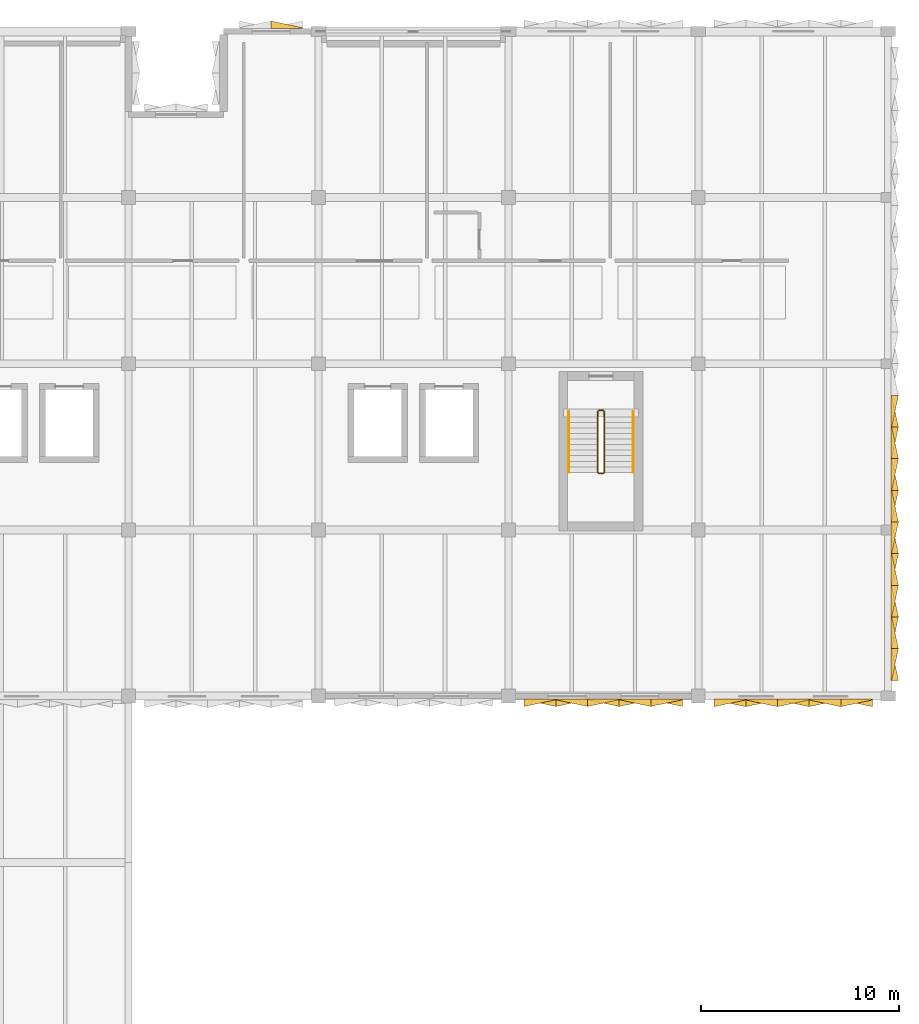
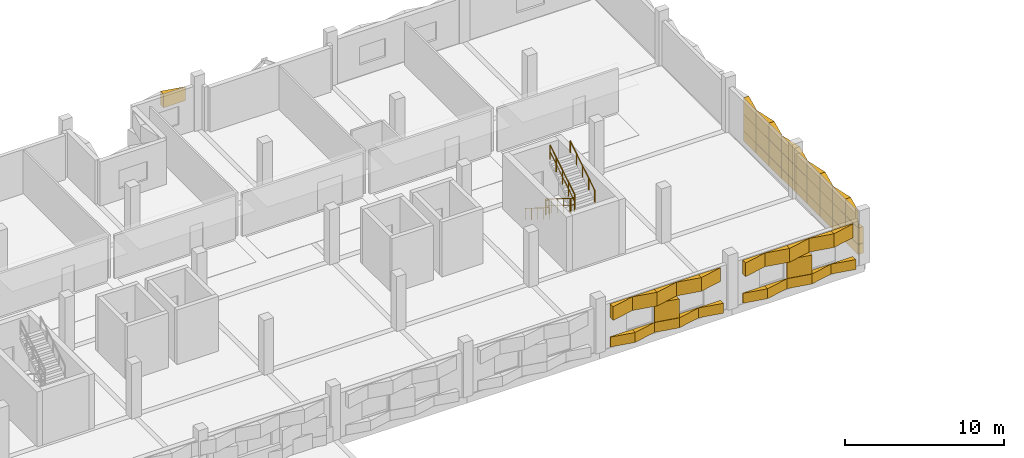
# One storey, part 23 of 24: 50 coverings, 6 railings.
"""IFC4 building model written with IfcOpenShell, lengths in metres."""

from ifc_helpers import new_model, si_unit, direction, frame, origin, origin_2d, place, context, subcontext, project, spatial, polyline, circle, outline, extrude, material, type_object, element, save


model = new_model("IFC4")

# Units and contexts
model_context = context("Model", 3, precision=1e-05, world=origin(), true_north=direction((0.0, 1.0)))
body_context = subcontext(model_context, "Body", "Model", "MODEL_VIEW")
ifc_project = project(units=[si_unit("LENGTHUNIT", "METRE"), si_unit("AREAUNIT", "SQUARE_METRE"), si_unit("VOLUMEUNIT", "CUBIC_METRE"), si_unit("PLANEANGLEUNIT", "RADIAN"), si_unit("MASSUNIT", "GRAM", prefix="KILO")], contexts=[model_context])

# Site, building, storey
site_placement = place(None, origin())
site = spatial("IfcSite", under=ifc_project, at=site_placement, CompositionType="ELEMENT")
building_placement = place(site_placement, origin())
building = spatial("IfcBuilding", under=site, at=building_placement, Name="Oolite Switchyard Hospital", CompositionType="ELEMENT")
storey_placement = place(building_placement, frame((0.0, 0.0, 22.0)))
storey = spatial("IfcBuildingStorey", under=building, at=storey_placement, Name="L05", CompositionType="ELEMENT", Elevation=22.0)

# Coverings
ifc_material_1 = material(Name="Precast oolitic limestone architectural concrete C40/50", Category="masonry")
covering_type = type_object("IfcCoveringType", Name="COV-CHEV-COOL", PredefinedType="CLADDING", material=ifc_material_1)
covering_1_placement = place(storey_placement, frame((200.800048828125, 100.659912109375, 0.050048828125), z_axis=(0.0, 0.0, 1.0), x_axis=(-1.0, 0.0, 0.0)))
element("IfcCovering", 1, at=covering_1_placement, inside=storey, type_object=covering_type, Name="L05 Chevron Precast Oolite Panel 1167", PredefinedType="CLADDING", context=body_context, shape_type="SweptSolid", body=[
    extrude(outline(polyline([(0.0, 0.0), (1.60009765625, 0.0), (1.60009765625, 0.044921875), (0.0, 0.385009765625), (0.0, 0.0)])), origin(), (0.0, 0.0, 1.0), 0.760009765625),
])
covering_2_placement = place(storey_placement, frame((200.800048828125, 100.659912109375, 2.2900390625), z_axis=(0.0, 0.0, 1.0), x_axis=(-1.0, 0.0, 0.0)))
element("IfcCovering", 2, at=covering_2_placement, inside=storey, type_object=covering_type, Name="L05 Chevron Precast Oolite Panel 1168", PredefinedType="CLADDING", context=body_context, shape_type="SweptSolid", body=[
    extrude(outline(polyline([(0.0, 0.0), (1.60009765625, 0.0), (1.60009765625, 0.385009765625), (0.0, 0.044921875), (0.0, 0.0)])), origin(), (0.0, 0.0, 1.0), 1.050048828125),
])
covering_3_placement = place(storey_placement, frame((199.199951171875, 100.659912109375, 0.050048828125), z_axis=(0.0, 0.0, 1.0), x_axis=(-1.0, 0.0, 0.0)))
element("IfcCovering", 3, at=covering_3_placement, inside=storey, type_object=covering_type, Name="L05 Chevron Precast Oolite Panel 1169", PredefinedType="CLADDING", context=body_context, shape_type="SweptSolid", body=[
    extrude(outline(polyline([(0.0, 0.0), (1.599853515625, 0.0), (1.599853515625, 0.385009765625), (0.0, 0.044921875), (0.0, 0.0)])), origin(), (0.0, 0.0, 1.0), 0.760009765625),
])
covering_4_placement = place(storey_placement, frame((199.199951171875, 100.659912109375, 2.2900390625), z_axis=(0.0, 0.0, 1.0), x_axis=(-1.0, 0.0, 0.0)))
element("IfcCovering", 4, at=covering_4_placement, inside=storey, type_object=covering_type, Name="L05 Chevron Precast Oolite Panel 1170", PredefinedType="CLADDING", context=body_context, shape_type="SweptSolid", body=[
    extrude(outline(polyline([(0.0, 0.0), (1.599853515625, 0.0), (1.599853515625, 0.044921875), (0.0, 0.385009765625), (0.0, 0.0)])), origin(), (0.0, 0.0, 1.0), 1.050048828125),
])
covering_5_placement = place(storey_placement, frame((197.60009765625, 100.659912109375, 0.050048828125), z_axis=(0.0, 0.0, 1.0), x_axis=(-1.0, 0.0, 0.0)))
element("IfcCovering", 5, at=covering_5_placement, inside=storey, type_object=covering_type, Name="L05 Chevron Precast Oolite Panel 1171", PredefinedType="CLADDING", context=body_context, shape_type="SweptSolid", body=[
    extrude(outline(polyline([(0.0, 0.0), (1.60009765625, 0.0), (1.60009765625, 0.044921875), (0.0, 0.385009765625), (0.0, 0.0)])), origin(), (0.0, 0.0, 1.0), 0.760009765625),
])
covering_6_placement = place(storey_placement, frame((197.60009765625, 100.659912109375, 2.2900390625), z_axis=(0.0, 0.0, 1.0), x_axis=(-1.0, 0.0, 0.0)))
element("IfcCovering", 6, at=covering_6_placement, inside=storey, type_object=covering_type, Name="L05 Chevron Precast Oolite Panel 1172", PredefinedType="CLADDING", context=body_context, shape_type="SweptSolid", body=[
    extrude(outline(polyline([(0.0, 0.0), (1.60009765625, 0.0), (1.60009765625, 0.385009765625), (0.0, 0.044921875), (0.0, 0.0)])), origin(), (0.0, 0.0, 1.0), 1.050048828125),
])
covering_7_placement = place(storey_placement, frame((197.60009765625, 100.659912109375, 0.830078125), z_axis=(0.0, 0.0, 1.0), x_axis=(-1.0, 0.0, 0.0)))
element("IfcCovering", 7, at=covering_7_placement, inside=storey, type_object=covering_type, Name="L05 Chevron Precast Oolite Panel 1173", PredefinedType="CLADDING", context=body_context, shape_type="SweptSolid", body=[
    extrude(outline(polyline([(0.0, 0.0), (1.60009765625, 0.0), (1.60009765625, 0.044921875), (0.0, 0.385009765625), (0.0, 0.0)])), origin(), (0.0, 0.0, 1.0), 1.43994140625),
])
covering_8_placement = place(storey_placement, frame((196.0, 100.659912109375, 0.050048828125), z_axis=(0.0, 0.0, 1.0), x_axis=(-1.0, 0.0, 0.0)))
element("IfcCovering", 8, at=covering_8_placement, inside=storey, type_object=covering_type, Name="L05 Chevron Precast Oolite Panel 1174", PredefinedType="CLADDING", context=body_context, shape_type="SweptSolid", body=[
    extrude(outline(polyline([(0.0, 0.0), (1.60009765625, 0.0), (1.60009765625, 0.385009765625), (0.0, 0.044921875), (0.0, 0.0)])), origin(), (0.0, 0.0, 1.0), 0.760009765625),
])
covering_9_placement = place(storey_placement, frame((196.0, 100.659912109375, 2.2900390625), z_axis=(0.0, 0.0, 1.0), x_axis=(-1.0, 0.0, 0.0)))
element("IfcCovering", 9, at=covering_9_placement, inside=storey, type_object=covering_type, Name="L05 Chevron Precast Oolite Panel 1175", PredefinedType="CLADDING", context=body_context, shape_type="SweptSolid", body=[
    extrude(outline(polyline([(0.0, 0.0), (1.60009765625, 0.0), (1.60009765625, 0.044921875), (0.0, 0.385009765625), (0.0, 0.0)])), origin(), (0.0, 0.0, 1.0), 1.050048828125),
])
covering_10_placement = place(storey_placement, frame((194.39990234375, 100.659912109375, 0.050048828125), z_axis=(0.0, 0.0, 1.0), x_axis=(-1.0, 0.0, 0.0)))
element("IfcCovering", 10, at=covering_10_placement, inside=storey, type_object=covering_type, Name="L05 Chevron Precast Oolite Panel 1176", PredefinedType="CLADDING", context=body_context, shape_type="SweptSolid", body=[
    extrude(outline(polyline([(0.0, 0.0), (1.599853515625, 0.0), (1.599853515625, 0.044921875), (0.0, 0.385009765625), (0.0, 0.0)])), origin(), (0.0, 0.0, 1.0), 0.760009765625),
])
covering_11_placement = place(storey_placement, frame((194.39990234375, 100.659912109375, 2.2900390625), z_axis=(0.0, 0.0, 1.0), x_axis=(-1.0, 0.0, 0.0)))
element("IfcCovering", 11, at=covering_11_placement, inside=storey, type_object=covering_type, Name="L05 Chevron Precast Oolite Panel 1177", PredefinedType="CLADDING", context=body_context, shape_type="SweptSolid", body=[
    extrude(outline(polyline([(0.0, 0.0), (1.599853515625, 0.0), (1.599853515625, 0.385009765625), (0.0, 0.044921875), (0.0, 0.0)])), origin(), (0.0, 0.0, 1.0), 1.050048828125),
])
covering_12_placement = place(storey_placement, frame((210.39990234375, 100.64990234375, 0.050048828125), z_axis=(0.0, 0.0, 1.0), x_axis=(-1.0, 0.0, 0.0)))
element("IfcCovering", 12, at=covering_12_placement, inside=storey, type_object=covering_type, Name="L05 Chevron Precast Oolite Panel 1178", PredefinedType="CLADDING", context=body_context, shape_type="SweptSolid", body=[
    extrude(outline(polyline([(0.0, 0.0), (1.599853515625, 0.0), (1.599853515625, 0.044921875), (0.0, 0.385009765625), (0.0, 0.0)])), origin(), (0.0, 0.0, 1.0), 0.760009765625),
])
covering_13_placement = place(storey_placement, frame((210.39990234375, 100.64990234375, 2.2900390625), z_axis=(0.0, 0.0, 1.0), x_axis=(-1.0, 0.0, 0.0)))
element("IfcCovering", 13, at=covering_13_placement, inside=storey, type_object=covering_type, Name="L05 Chevron Precast Oolite Panel 1179", PredefinedType="CLADDING", context=body_context, shape_type="SweptSolid", body=[
    extrude(outline(polyline([(0.0, 0.0), (1.599853515625, 0.0), (1.599853515625, 0.385009765625), (0.0, 0.044921875), (0.0, 0.0)])), origin(), (0.0, 0.0, 1.0), 1.050048828125),
])
covering_14_placement = place(storey_placement, frame((208.800048828125, 100.64990234375, 0.050048828125), z_axis=(0.0, 0.0, 1.0), x_axis=(-1.0, 0.0, 0.0)))
element("IfcCovering", 14, at=covering_14_placement, inside=storey, type_object=covering_type, Name="L05 Chevron Precast Oolite Panel 1180", PredefinedType="CLADDING", context=body_context, shape_type="SweptSolid", body=[
    extrude(outline(polyline([(0.0, 0.0), (1.60009765625, 0.0), (1.60009765625, 0.385009765625), (0.0, 0.044921875), (0.0, 0.0)])), origin(), (0.0, 0.0, 1.0), 0.760009765625),
])
covering_15_placement = place(storey_placement, frame((208.800048828125, 100.64990234375, 2.2900390625), z_axis=(0.0, 0.0, 1.0), x_axis=(-1.0, 0.0, 0.0)))
element("IfcCovering", 15, at=covering_15_placement, inside=storey, type_object=covering_type, Name="L05 Chevron Precast Oolite Panel 1181", PredefinedType="CLADDING", context=body_context, shape_type="SweptSolid", body=[
    extrude(outline(polyline([(0.0, 0.0), (1.60009765625, 0.0), (1.60009765625, 0.044921875), (0.0, 0.385009765625), (0.0, 0.0)])), origin(), (0.0, 0.0, 1.0), 1.050048828125),
])
covering_16_placement = place(storey_placement, frame((207.199951171875, 100.64990234375, 0.050048828125), z_axis=(0.0, 0.0, 1.0), x_axis=(-1.0, 0.0, 0.0)))
element("IfcCovering", 16, at=covering_16_placement, inside=storey, type_object=covering_type, Name="L05 Chevron Precast Oolite Panel 1182", PredefinedType="CLADDING", context=body_context, shape_type="SweptSolid", body=[
    extrude(outline(polyline([(0.0, 0.0), (1.599853515625, 0.0), (1.599853515625, 0.044921875), (0.0, 0.385009765625), (0.0, 0.0)])), origin(), (0.0, 0.0, 1.0), 0.760009765625),
])
covering_17_placement = place(storey_placement, frame((207.199951171875, 100.64990234375, 2.2900390625), z_axis=(0.0, 0.0, 1.0), x_axis=(-1.0, 0.0, 0.0)))
element("IfcCovering", 17, at=covering_17_placement, inside=storey, type_object=covering_type, Name="L05 Chevron Precast Oolite Panel 1183", PredefinedType="CLADDING", context=body_context, shape_type="SweptSolid", body=[
    extrude(outline(polyline([(0.0, 0.0), (1.599853515625, 0.0), (1.599853515625, 0.385009765625), (0.0, 0.044921875), (0.0, 0.0)])), origin(), (0.0, 0.0, 1.0), 1.050048828125),
])
covering_18_placement = place(storey_placement, frame((207.199951171875, 100.64990234375, 0.830078125), z_axis=(0.0, 0.0, 1.0), x_axis=(-1.0, 0.0, 0.0)))
element("IfcCovering", 18, at=covering_18_placement, inside=storey, type_object=covering_type, Name="L05 Chevron Precast Oolite Panel 1184", PredefinedType="CLADDING", context=body_context, shape_type="SweptSolid", body=[
    extrude(outline(polyline([(0.0, 0.0), (1.599853515625, 0.0), (1.599853515625, 0.044921875), (0.0, 0.385009765625), (0.0, 0.0)])), origin(), (0.0, 0.0, 1.0), 1.43994140625),
])
covering_19_placement = place(storey_placement, frame((205.60009765625, 100.64990234375, 0.050048828125), z_axis=(0.0, 0.0, 1.0), x_axis=(-1.0, 0.0, 0.0)))
element("IfcCovering", 19, at=covering_19_placement, inside=storey, type_object=covering_type, Name="L05 Chevron Precast Oolite Panel 1185", PredefinedType="CLADDING", context=body_context, shape_type="SweptSolid", body=[
    extrude(outline(polyline([(0.0, 0.0), (1.60009765625, 0.0), (1.60009765625, 0.385009765625), (0.0, 0.044921875), (0.0, 0.0)])), origin(), (0.0, 0.0, 1.0), 0.760009765625),
])
covering_20_placement = place(storey_placement, frame((205.60009765625, 100.64990234375, 2.2900390625), z_axis=(0.0, 0.0, 1.0), x_axis=(-1.0, 0.0, 0.0)))
element("IfcCovering", 20, at=covering_20_placement, inside=storey, type_object=covering_type, Name="L05 Chevron Precast Oolite Panel 1186", PredefinedType="CLADDING", context=body_context, shape_type="SweptSolid", body=[
    extrude(outline(polyline([(0.0, 0.0), (1.60009765625, 0.0), (1.60009765625, 0.044921875), (0.0, 0.385009765625), (0.0, 0.0)])), origin(), (0.0, 0.0, 1.0), 1.050048828125),
])
covering_21_placement = place(storey_placement, frame((204.0, 100.64990234375, 0.050048828125), z_axis=(0.0, 0.0, 1.0), x_axis=(-1.0, 0.0, 0.0)))
element("IfcCovering", 21, at=covering_21_placement, inside=storey, type_object=covering_type, Name="L05 Chevron Precast Oolite Panel 1187", PredefinedType="CLADDING", context=body_context, shape_type="SweptSolid", body=[
    extrude(outline(polyline([(0.0, 0.0), (1.60009765625, 0.0), (1.60009765625, 0.044921875), (0.0, 0.385009765625), (0.0, 0.0)])), origin(), (0.0, 0.0, 1.0), 0.760009765625),
])
covering_22_placement = place(storey_placement, frame((204.0, 100.64990234375, 2.2900390625), z_axis=(0.0, 0.0, 1.0), x_axis=(-1.0, 0.0, 0.0)))
element("IfcCovering", 22, at=covering_22_placement, inside=storey, type_object=covering_type, Name="L05 Chevron Precast Oolite Panel 1188", PredefinedType="CLADDING", context=body_context, shape_type="SweptSolid", body=[
    extrude(outline(polyline([(0.0, 0.0), (1.60009765625, 0.0), (1.60009765625, 0.385009765625), (0.0, 0.044921875), (0.0, 0.0)])), origin(), (0.0, 0.0, 1.0), 1.050048828125),
])
covering_23_placement = place(storey_placement, frame((180.0, 134.5400390625, 2.2900390625), z_axis=(0.0, 0.0, 1.0), x_axis=(1.0, 0.0, 0.0)))
element("IfcCovering", 23, at=covering_23_placement, inside=storey, type_object=covering_type, Name="L05 Chevron Precast Oolite Panel 1215", PredefinedType="CLADDING", context=body_context, shape_type="SweptSolid", body=[
    extrude(outline(polyline([(0.0, 0.0), (1.60009765625, 0.0), (1.60009765625, 0.044921875), (0.0, 0.385009765625), (0.0, 0.0)])), origin(), (0.0, 0.0, 1.0), 1.050048828125),
])
covering_24_placement = place(storey_placement, frame((211.330078125, 116.0, 0.050048828125), z_axis=(0.0, 0.0, 1.0), x_axis=(0.0, -1.0, 0.0)))
element("IfcCovering", 24, at=covering_24_placement, inside=storey, type_object=covering_type, Name="L05 Chevron Precast Oolite Panel 1335", PredefinedType="CLADDING", context=body_context, shape_type="SweptSolid", body=[
    extrude(outline(polyline([(0.0, 0.0), (1.60009765625, 0.0), (1.60009765625, 0.385009765625), (0.0, 0.044921875), (0.0, 0.0)])), origin(), (0.0, 0.0, 1.0), 0.760009765625),
])
covering_25_placement = place(storey_placement, frame((211.330078125, 116.0, 2.090087890625), z_axis=(0.0, 0.0, 1.0), x_axis=(0.0, -1.0, 0.0)))
element("IfcCovering", 25, at=covering_25_placement, inside=storey, type_object=covering_type, Name="L05 Chevron Precast Oolite Panel 1336", PredefinedType="CLADDING", context=body_context, shape_type="SweptSolid", body=[
    extrude(outline(polyline([(0.0, 0.0), (1.60009765625, 0.0), (1.60009765625, 0.044921875), (0.0, 0.385009765625), (0.0, 0.0)])), origin(), (0.0, 0.0, 1.0), 1.25),
])
covering_26_placement = place(storey_placement, frame((211.330078125, 116.0, 0.830078125), z_axis=(0.0, 0.0, 1.0), x_axis=(0.0, -1.0, 0.0)))
element("IfcCovering", 26, at=covering_26_placement, inside=storey, type_object=covering_type, Name="L05 Chevron Precast Oolite Panel 1337", PredefinedType="CLADDING", context=body_context, shape_type="SweptSolid", body=[
    extrude(outline(polyline([(0.0, 0.0), (1.60009765625, 0.0), (1.60009765625, 0.385009765625), (0.0, 0.044921875), (0.0, 0.0)])), origin(), (0.0, 0.0, 1.0), 1.239990234375),
])
covering_27_placement = place(storey_placement, frame((211.330078125, 114.39990234375, 0.050048828125), z_axis=(0.0, 0.0, 1.0), x_axis=(0.0, -1.0, 0.0)))
element("IfcCovering", 27, at=covering_27_placement, inside=storey, type_object=covering_type, Name="L05 Chevron Precast Oolite Panel 1338", PredefinedType="CLADDING", context=body_context, shape_type="SweptSolid", body=[
    extrude(outline(polyline([(0.0, 0.0), (1.599853515625, 0.0), (1.599853515625, 0.044921875), (0.0, 0.385009765625), (0.0, 0.0)])), origin(), (0.0, 0.0, 1.0), 0.760009765625),
])
covering_28_placement = place(storey_placement, frame((211.330078125, 114.39990234375, 2.090087890625), z_axis=(0.0, 0.0, 1.0), x_axis=(0.0, -1.0, 0.0)))
element("IfcCovering", 28, at=covering_28_placement, inside=storey, type_object=covering_type, Name="L05 Chevron Precast Oolite Panel 1339", PredefinedType="CLADDING", context=body_context, shape_type="SweptSolid", body=[
    extrude(outline(polyline([(0.0, 0.0), (1.599853515625, 0.0), (1.599853515625, 0.385009765625), (0.0, 0.044921875), (0.0, 0.0)])), origin(), (0.0, 0.0, 1.0), 1.25),
])
covering_29_placement = place(storey_placement, frame((211.330078125, 114.39990234375, 0.830078125), z_axis=(0.0, 0.0, 1.0), x_axis=(0.0, -1.0, 0.0)))
element("IfcCovering", 29, at=covering_29_placement, inside=storey, type_object=covering_type, Name="L05 Chevron Precast Oolite Panel 1340", PredefinedType="CLADDING", context=body_context, shape_type="SweptSolid", body=[
    extrude(outline(polyline([(0.0, 0.0), (1.599853515625, 0.0), (1.599853515625, 0.044921875), (0.0, 0.385009765625), (0.0, 0.0)])), origin(), (0.0, 0.0, 1.0), 1.239990234375),
])
covering_30_placement = place(storey_placement, frame((211.330078125, 112.800048828125, 0.050048828125), z_axis=(0.0, 0.0, 1.0), x_axis=(0.0, -1.0, 0.0)))
element("IfcCovering", 30, at=covering_30_placement, inside=storey, type_object=covering_type, Name="L05 Chevron Precast Oolite Panel 1341", PredefinedType="CLADDING", context=body_context, shape_type="SweptSolid", body=[
    extrude(outline(polyline([(0.0, 0.0), (1.60009765625, 0.0), (1.60009765625, 0.385009765625), (0.0, 0.044921875), (0.0, 0.0)])), origin(), (0.0, 0.0, 1.0), 0.760009765625),
])
covering_31_placement = place(storey_placement, frame((211.330078125, 112.800048828125, 2.090087890625), z_axis=(0.0, 0.0, 1.0), x_axis=(0.0, -1.0, 0.0)))
element("IfcCovering", 31, at=covering_31_placement, inside=storey, type_object=covering_type, Name="L05 Chevron Precast Oolite Panel 1342", PredefinedType="CLADDING", context=body_context, shape_type="SweptSolid", body=[
    extrude(outline(polyline([(0.0, 0.0), (1.60009765625, 0.0), (1.60009765625, 0.044921875), (0.0, 0.385009765625), (0.0, 0.0)])), origin(), (0.0, 0.0, 1.0), 1.25),
])
covering_32_placement = place(storey_placement, frame((211.330078125, 112.800048828125, 0.830078125), z_axis=(0.0, 0.0, 1.0), x_axis=(0.0, -1.0, 0.0)))
element("IfcCovering", 32, at=covering_32_placement, inside=storey, type_object=covering_type, Name="L05 Chevron Precast Oolite Panel 1343", PredefinedType="CLADDING", context=body_context, shape_type="SweptSolid", body=[
    extrude(outline(polyline([(0.0, 0.0), (1.60009765625, 0.0), (1.60009765625, 0.385009765625), (0.0, 0.044921875), (0.0, 0.0)])), origin(), (0.0, 0.0, 1.0), 1.239990234375),
])
covering_33_placement = place(storey_placement, frame((211.330078125, 111.199951171875, 0.050048828125), z_axis=(0.0, 0.0, 1.0), x_axis=(0.0, -1.0, 0.0)))
element("IfcCovering", 33, at=covering_33_placement, inside=storey, type_object=covering_type, Name="L05 Chevron Precast Oolite Panel 1344", PredefinedType="CLADDING", context=body_context, shape_type="SweptSolid", body=[
    extrude(outline(polyline([(0.0, 0.0), (1.599853515625, 0.0), (1.599853515625, 0.044921875), (0.0, 0.385009765625), (0.0, 0.0)])), origin(), (0.0, 0.0, 1.0), 0.760009765625),
])
covering_34_placement = place(storey_placement, frame((211.330078125, 111.199951171875, 2.090087890625), z_axis=(0.0, 0.0, 1.0), x_axis=(0.0, -1.0, 0.0)))
element("IfcCovering", 34, at=covering_34_placement, inside=storey, type_object=covering_type, Name="L05 Chevron Precast Oolite Panel 1345", PredefinedType="CLADDING", context=body_context, shape_type="SweptSolid", body=[
    extrude(outline(polyline([(0.0, 0.0), (1.599853515625, 0.0), (1.599853515625, 0.385009765625), (0.0, 0.044921875), (0.0, 0.0)])), origin(), (0.0, 0.0, 1.0), 1.25),
])
covering_35_placement = place(storey_placement, frame((211.330078125, 111.199951171875, 0.830078125), z_axis=(0.0, 0.0, 1.0), x_axis=(0.0, -1.0, 0.0)))
element("IfcCovering", 35, at=covering_35_placement, inside=storey, type_object=covering_type, Name="L05 Chevron Precast Oolite Panel 1346", PredefinedType="CLADDING", context=body_context, shape_type="SweptSolid", body=[
    extrude(outline(polyline([(0.0, 0.0), (1.599853515625, 0.0), (1.599853515625, 0.044921875), (0.0, 0.385009765625), (0.0, 0.0)])), origin(), (0.0, 0.0, 1.0), 1.239990234375),
])
covering_36_placement = place(storey_placement, frame((211.330078125, 109.60009765625, 0.050048828125), z_axis=(0.0, 0.0, 1.0), x_axis=(0.0, -1.0, 0.0)))
element("IfcCovering", 36, at=covering_36_placement, inside=storey, type_object=covering_type, Name="L05 Chevron Precast Oolite Panel 1347", PredefinedType="CLADDING", context=body_context, shape_type="SweptSolid", body=[
    extrude(outline(polyline([(0.0, 0.0), (1.60009765625, 0.0), (1.60009765625, 0.385009765625), (0.0, 0.044921875), (0.0, 0.0)])), origin(), (0.0, 0.0, 1.0), 0.760009765625),
])
covering_37_placement = place(storey_placement, frame((211.330078125, 109.60009765625, 2.090087890625), z_axis=(0.0, 0.0, 1.0), x_axis=(0.0, -1.0, 0.0)))
element("IfcCovering", 37, at=covering_37_placement, inside=storey, type_object=covering_type, Name="L05 Chevron Precast Oolite Panel 1348", PredefinedType="CLADDING", context=body_context, shape_type="SweptSolid", body=[
    extrude(outline(polyline([(0.0, 0.0), (1.60009765625, 0.0), (1.60009765625, 0.044921875), (0.0, 0.385009765625), (0.0, 0.0)])), origin(), (0.0, 0.0, 1.0), 1.25),
])
covering_38_placement = place(storey_placement, frame((211.330078125, 109.60009765625, 0.830078125), z_axis=(0.0, 0.0, 1.0), x_axis=(0.0, -1.0, 0.0)))
element("IfcCovering", 38, at=covering_38_placement, inside=storey, type_object=covering_type, Name="L05 Chevron Precast Oolite Panel 1349", PredefinedType="CLADDING", context=body_context, shape_type="SweptSolid", body=[
    extrude(outline(polyline([(0.0, 0.0), (1.60009765625, 0.0), (1.60009765625, 0.385009765625), (0.0, 0.044921875), (0.0, 0.0)])), origin(), (0.0, 0.0, 1.0), 1.239990234375),
])
covering_39_placement = place(storey_placement, frame((211.330078125, 108.0, 0.050048828125), z_axis=(0.0, 0.0, 1.0), x_axis=(0.0, -1.0, 0.0)))
element("IfcCovering", 39, at=covering_39_placement, inside=storey, type_object=covering_type, Name="L05 Chevron Precast Oolite Panel 1350", PredefinedType="CLADDING", context=body_context, shape_type="SweptSolid", body=[
    extrude(outline(polyline([(0.0, 0.0), (1.60009765625, 0.0), (1.60009765625, 0.044921875), (0.0, 0.385009765625), (0.0, 0.0)])), origin(), (0.0, 0.0, 1.0), 0.760009765625),
])
covering_40_placement = place(storey_placement, frame((211.330078125, 108.0, 2.090087890625), z_axis=(0.0, 0.0, 1.0), x_axis=(0.0, -1.0, 0.0)))
element("IfcCovering", 40, at=covering_40_placement, inside=storey, type_object=covering_type, Name="L05 Chevron Precast Oolite Panel 1351", PredefinedType="CLADDING", context=body_context, shape_type="SweptSolid", body=[
    extrude(outline(polyline([(0.0, 0.0), (1.60009765625, 0.0), (1.60009765625, 0.385009765625), (0.0, 0.044921875), (0.0, 0.0)])), origin(), (0.0, 0.0, 1.0), 1.25),
])
covering_41_placement = place(storey_placement, frame((211.330078125, 108.0, 0.830078125), z_axis=(0.0, 0.0, 1.0), x_axis=(0.0, -1.0, 0.0)))
element("IfcCovering", 41, at=covering_41_placement, inside=storey, type_object=covering_type, Name="L05 Chevron Precast Oolite Panel 1352", PredefinedType="CLADDING", context=body_context, shape_type="SweptSolid", body=[
    extrude(outline(polyline([(0.0, 0.0), (1.60009765625, 0.0), (1.60009765625, 0.044921875), (0.0, 0.385009765625), (0.0, 0.0)])), origin(), (0.0, 0.0, 1.0), 1.239990234375),
])
covering_42_placement = place(storey_placement, frame((211.330078125, 106.39990234375, 0.050048828125), z_axis=(0.0, 0.0, 1.0), x_axis=(0.0, -1.0, 0.0)))
element("IfcCovering", 42, at=covering_42_placement, inside=storey, type_object=covering_type, Name="L05 Chevron Precast Oolite Panel 1353", PredefinedType="CLADDING", context=body_context, shape_type="SweptSolid", body=[
    extrude(outline(polyline([(0.0, 0.0), (1.599853515625, 0.0), (1.599853515625, 0.385009765625), (0.0, 0.044921875), (0.0, 0.0)])), origin(), (0.0, 0.0, 1.0), 0.760009765625),
])
covering_43_placement = place(storey_placement, frame((211.330078125, 106.39990234375, 2.090087890625), z_axis=(0.0, 0.0, 1.0), x_axis=(0.0, -1.0, 0.0)))
element("IfcCovering", 43, at=covering_43_placement, inside=storey, type_object=covering_type, Name="L05 Chevron Precast Oolite Panel 1354", PredefinedType="CLADDING", context=body_context, shape_type="SweptSolid", body=[
    extrude(outline(polyline([(0.0, 0.0), (1.599853515625, 0.0), (1.599853515625, 0.044921875), (0.0, 0.385009765625), (0.0, 0.0)])), origin(), (0.0, 0.0, 1.0), 1.25),
])
covering_44_placement = place(storey_placement, frame((211.330078125, 106.39990234375, 0.830078125), z_axis=(0.0, 0.0, 1.0), x_axis=(0.0, -1.0, 0.0)))
element("IfcCovering", 44, at=covering_44_placement, inside=storey, type_object=covering_type, Name="L05 Chevron Precast Oolite Panel 1355", PredefinedType="CLADDING", context=body_context, shape_type="SweptSolid", body=[
    extrude(outline(polyline([(0.0, 0.0), (1.599853515625, 0.0), (1.599853515625, 0.385009765625), (0.0, 0.044921875), (0.0, 0.0)])), origin(), (0.0, 0.0, 1.0), 1.239990234375),
])
covering_45_placement = place(storey_placement, frame((211.330078125, 104.800048828125, 0.050048828125), z_axis=(0.0, 0.0, 1.0), x_axis=(0.0, -1.0, 0.0)))
element("IfcCovering", 45, at=covering_45_placement, inside=storey, type_object=covering_type, Name="L05 Chevron Precast Oolite Panel 1356", PredefinedType="CLADDING", context=body_context, shape_type="SweptSolid", body=[
    extrude(outline(polyline([(0.0, 0.0), (1.60009765625, 0.0), (1.60009765625, 0.044921875), (0.0, 0.385009765625), (0.0, 0.0)])), origin(), (0.0, 0.0, 1.0), 0.760009765625),
])
covering_46_placement = place(storey_placement, frame((211.330078125, 104.800048828125, 2.090087890625), z_axis=(0.0, 0.0, 1.0), x_axis=(0.0, -1.0, 0.0)))
element("IfcCovering", 46, at=covering_46_placement, inside=storey, type_object=covering_type, Name="L05 Chevron Precast Oolite Panel 1357", PredefinedType="CLADDING", context=body_context, shape_type="SweptSolid", body=[
    extrude(outline(polyline([(0.0, 0.0), (1.60009765625, 0.0), (1.60009765625, 0.385009765625), (0.0, 0.044921875), (0.0, 0.0)])), origin(), (0.0, 0.0, 1.0), 1.25),
])
covering_47_placement = place(storey_placement, frame((211.330078125, 104.800048828125, 0.830078125), z_axis=(0.0, 0.0, 1.0), x_axis=(0.0, -1.0, 0.0)))
element("IfcCovering", 47, at=covering_47_placement, inside=storey, type_object=covering_type, Name="L05 Chevron Precast Oolite Panel 1358", PredefinedType="CLADDING", context=body_context, shape_type="SweptSolid", body=[
    extrude(outline(polyline([(0.0, 0.0), (1.60009765625, 0.0), (1.60009765625, 0.044921875), (0.0, 0.385009765625), (0.0, 0.0)])), origin(), (0.0, 0.0, 1.0), 1.239990234375),
])
covering_48_placement = place(storey_placement, frame((211.330078125, 103.199951171875, 0.050048828125), z_axis=(0.0, 0.0, 1.0), x_axis=(0.0, -1.0, 0.0)))
element("IfcCovering", 48, at=covering_48_placement, inside=storey, type_object=covering_type, Name="L05 Chevron Precast Oolite Panel 1359", PredefinedType="CLADDING", context=body_context, shape_type="SweptSolid", body=[
    extrude(outline(polyline([(0.0, 0.0), (1.599853515625, 0.0), (1.599853515625, 0.385009765625), (0.0, 0.044921875), (0.0, 0.0)])), origin(), (0.0, 0.0, 1.0), 0.760009765625),
])
covering_49_placement = place(storey_placement, frame((211.330078125, 103.199951171875, 2.090087890625), z_axis=(0.0, 0.0, 1.0), x_axis=(0.0, -1.0, 0.0)))
element("IfcCovering", 49, at=covering_49_placement, inside=storey, type_object=covering_type, Name="L05 Chevron Precast Oolite Panel 1360", PredefinedType="CLADDING", context=body_context, shape_type="SweptSolid", body=[
    extrude(outline(polyline([(0.0, 0.0), (1.599853515625, 0.0), (1.599853515625, 0.044921875), (0.0, 0.385009765625), (0.0, 0.0)])), origin(), (0.0, 0.0, 1.0), 1.25),
])
covering_50_placement = place(storey_placement, frame((211.330078125, 103.199951171875, 0.830078125), z_axis=(0.0, 0.0, 1.0), x_axis=(0.0, -1.0, 0.0)))
element("IfcCovering", 50, at=covering_50_placement, inside=storey, type_object=covering_type, Name="L05 Chevron Precast Oolite Panel 1361", PredefinedType="CLADDING", context=body_context, shape_type="SweptSolid", body=[
    extrude(outline(polyline([(0.0, 0.0), (1.599853515625, 0.0), (1.599853515625, 0.385009765625), (0.0, 0.044921875), (0.0, 0.0)])), origin(), (0.0, 0.0, 1.0), 1.239990234375),
])

# Railings
ifc_material_2 = material(Name="Galvanized painted architectural steel handrail", Category="steel")
railing_type_1 = type_object("IfcRailingType", Name="RL-STAIR-GRD", PredefinedType="GUARDRAIL", material=ifc_material_2)
railing_1_placement = place(storey_placement, frame((196.510009765625, 115.18994140625, 0.175048828125)))
element("IfcRailing", 51, at=railing_1_placement, inside=storey, type_object=railing_type_1, Name="L05 ST-04 stair guard 1", PredefinedType="GUARDRAIL", context=body_context, shape_type="SweptSolid", body=[
    extrude(circle(Radius=0.02392578125, at=origin_2d()), frame((0.0, 0.0, 1.076171875), z_axis=(0.0, -0.847979421464, 0.530029150871), x_axis=(1.0, 0.0, 0.0)), (0.0, 0.0, 1.0), 3.632080078125),
    extrude(circle(Radius=0.015625, at=origin_2d()), frame((0.0, 0.0, 0.550048828125), z_axis=(0.0, -0.847979421464, 0.530029150871), x_axis=(1.0, 0.0, 0.0)), (0.0, 0.0, 1.0), 3.632080078125),
    extrude(circle(Radius=0.02099609375, at=origin_2d()), origin(), (0.0, 0.0, 1.0), 1.052001953125),
    extrude(circle(Radius=0.02099609375, at=origin_2d()), frame((0.0, -0.77001953125, 0.481201171875)), (0.0, 0.0, 1.0), 1.052001953125),
    extrude(circle(Radius=0.02099609375, at=origin_2d()), frame((0.0, -1.5400390625, 0.96240234375)), (0.0, 0.0, 1.0), 1.052001953125),
    extrude(circle(Radius=0.02099609375, at=origin_2d()), frame((0.0, -2.309814453125, 1.44384765625)), (0.0, 0.0, 1.0), 1.052001953125),
    extrude(circle(Radius=0.02099609375, at=origin_2d()), frame((0.0, -3.079833984375, 1.925048828125)), (0.0, 0.0, 1.0), 1.052001953125),
])
railing_2_placement = place(storey_placement, frame((196.56005859375, 112.06005859375, 2.10009765625)))
element("IfcRailing", 52, at=railing_2_placement, inside=storey, type_object=railing_type_1, Name="L05 ST-04 stair guard 2", PredefinedType="GUARDRAIL", context=body_context, shape_type="SweptSolid", body=[
    extrude(circle(Radius=0.02392578125, at=origin_2d()), frame((0.0, 0.0, 1.076171875), z_axis=(1.0, 0.0, 0.0), x_axis=(0.0, 1.0, 0.0)), (0.0, 0.0, 1.0), 0.239990234375),
    extrude(circle(Radius=0.015625, at=origin_2d()), frame((0.0, 0.0, 0.550048828125), z_axis=(1.0, 0.0, 0.0), x_axis=(0.0, 1.0, 0.0)), (0.0, 0.0, 1.0), 0.239990234375),
    extrude(circle(Radius=0.02099609375, at=origin_2d()), origin(), (0.0, 0.0, 1.0), 1.052001953125),
    extrude(circle(Radius=0.02099609375, at=origin_2d()), frame((0.239990234375, 0.0, 0.0)), (0.0, 0.0, 1.0), 1.052001953125),
])
railing_3_placement = place(storey_placement, frame((196.85009765625, 112.110107421875, 2.27490234375)))
element("IfcRailing", 53, at=railing_3_placement, inside=storey, type_object=railing_type_1, Name="L05 ST-04 stair guard 3", PredefinedType="GUARDRAIL", context=body_context, shape_type="SweptSolid", body=[
    extrude(circle(Radius=0.02392578125, at=origin_2d()), frame((0.0, 0.0, 1.076171875), z_axis=(0.0, 0.847979421464, 0.530029150871), x_axis=(-1.0, 0.0, 0.0)), (0.0, 0.0, 1.0), 3.632080078125),
    extrude(circle(Radius=0.015625, at=origin_2d()), frame((0.0, 0.0, 0.550048828125), z_axis=(0.0, 0.847979421464, 0.530029150871), x_axis=(-1.0, 0.0, 0.0)), (0.0, 0.0, 1.0), 3.632080078125),
    extrude(circle(Radius=0.02099609375, at=origin_2d()), origin(), (0.0, 0.0, 1.0), 1.052001953125),
    extrude(circle(Radius=0.02099609375, at=origin_2d()), frame((0.0, 0.77001953125, 0.481201171875)), (0.0, 0.0, 1.0), 1.052001953125),
    extrude(circle(Radius=0.02099609375, at=origin_2d()), frame((0.0, 1.5400390625, 0.96240234375)), (0.0, 0.0, 1.0), 1.052001953125),
    extrude(circle(Radius=0.02099609375, at=origin_2d()), frame((0.0, 2.309814453125, 1.44384765625)), (0.0, 0.0, 1.0), 1.052001953125),
    extrude(circle(Radius=0.02099609375, at=origin_2d()), frame((0.0, 3.079833984375, 1.925048828125)), (0.0, 0.0, 1.0), 1.052001953125),
])
railing_4_placement = place(storey_placement, frame((196.56005859375, 115.239990234375, 0.0)))
element("IfcRailing", 54, at=railing_4_placement, inside=storey, type_object=railing_type_1, Name="L05 ST-04 stair guard 4", PredefinedType="GUARDRAIL", context=body_context, shape_type="SweptSolid", body=[
    extrude(circle(Radius=0.02392578125, at=origin_2d()), frame((0.0, 0.0, 1.076171875), z_axis=(1.0, 0.0, 0.0), x_axis=(0.0, 1.0, 0.0)), (0.0, 0.0, 1.0), 0.239990234375),
    extrude(circle(Radius=0.015625, at=origin_2d()), frame((0.0, 0.0, 0.550048828125), z_axis=(1.0, 0.0, 0.0), x_axis=(0.0, 1.0, 0.0)), (0.0, 0.0, 1.0), 0.239990234375),
    extrude(circle(Radius=0.02099609375, at=origin_2d()), origin(), (0.0, 0.0, 1.0), 1.052001953125),
    extrude(circle(Radius=0.02099609375, at=origin_2d()), frame((0.239990234375, 0.0, 0.0)), (0.0, 0.0, 1.0), 1.052001953125),
])
railing_type_2 = type_object("IfcRailingType", Name="RL-STAIR-HND", PredefinedType="HANDRAIL", material=ifc_material_2)
railing_5_placement = place(storey_placement, frame((195.050048828125, 115.18994140625, 0.175048828125)))
element("IfcRailing", 55, at=railing_5_placement, inside=storey, type_object=railing_type_2, Name="L05 ST-04 stair handrail 1", PredefinedType="HANDRAIL", context=body_context, shape_type="SweptSolid", body=[
    extrude(circle(Radius=0.02392578125, at=origin_2d()), frame((0.0, 0.0, 0.8759765625), z_axis=(0.0, -0.847979421464, 0.530029150871), x_axis=(1.0, 0.0, 0.0)), (0.0, 0.0, 1.0), 3.632080078125),
    extrude(circle(Radius=0.02099609375, at=origin_2d()), origin(), (0.0, 0.0, 1.0), 0.851806640625),
    extrude(circle(Radius=0.02099609375, at=origin_2d()), frame((0.0, -0.77001953125, 0.481201171875)), (0.0, 0.0, 1.0), 0.851806640625),
    extrude(circle(Radius=0.02099609375, at=origin_2d()), frame((0.0, -1.5400390625, 0.96240234375)), (0.0, 0.0, 1.0), 0.851806640625),
    extrude(circle(Radius=0.02099609375, at=origin_2d()), frame((0.0, -2.309814453125, 1.44384765625)), (0.0, 0.0, 1.0), 0.851806640625),
    extrude(circle(Radius=0.02099609375, at=origin_2d()), frame((0.0, -3.079833984375, 1.925048828125)), (0.0, 0.0, 1.0), 0.851806640625),
])
railing_6_placement = place(storey_placement, frame((198.31005859375, 112.110107421875, 2.27490234375)))
element("IfcRailing", 56, at=railing_6_placement, inside=storey, type_object=railing_type_2, Name="L05 ST-04 stair handrail 2", PredefinedType="HANDRAIL", context=body_context, shape_type="SweptSolid", body=[
    extrude(circle(Radius=0.02392578125, at=origin_2d()), frame((0.0, 0.0, 0.8759765625), z_axis=(0.0, 0.847979421464, 0.530029150871), x_axis=(-1.0, 0.0, 0.0)), (0.0, 0.0, 1.0), 3.632080078125),
    extrude(circle(Radius=0.02099609375, at=origin_2d()), origin(), (0.0, 0.0, 1.0), 0.851806640625),
    extrude(circle(Radius=0.02099609375, at=origin_2d()), frame((0.0, 0.77001953125, 0.481201171875)), (0.0, 0.0, 1.0), 0.851806640625),
    extrude(circle(Radius=0.02099609375, at=origin_2d()), frame((0.0, 1.5400390625, 0.96240234375)), (0.0, 0.0, 1.0), 0.851806640625),
    extrude(circle(Radius=0.02099609375, at=origin_2d()), frame((0.0, 2.309814453125, 1.44384765625)), (0.0, 0.0, 1.0), 0.851806640625),
    extrude(circle(Radius=0.02099609375, at=origin_2d()), frame((0.0, 3.079833984375, 1.925048828125)), (0.0, 0.0, 1.0), 0.851806640625),
])

save(model, "model.ifc")
